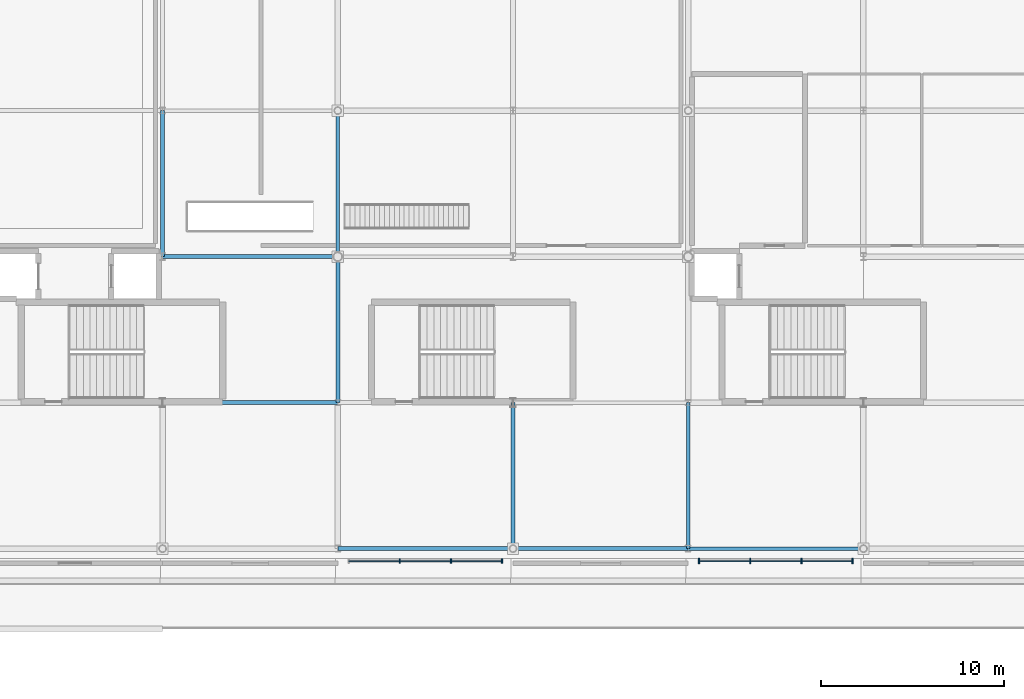
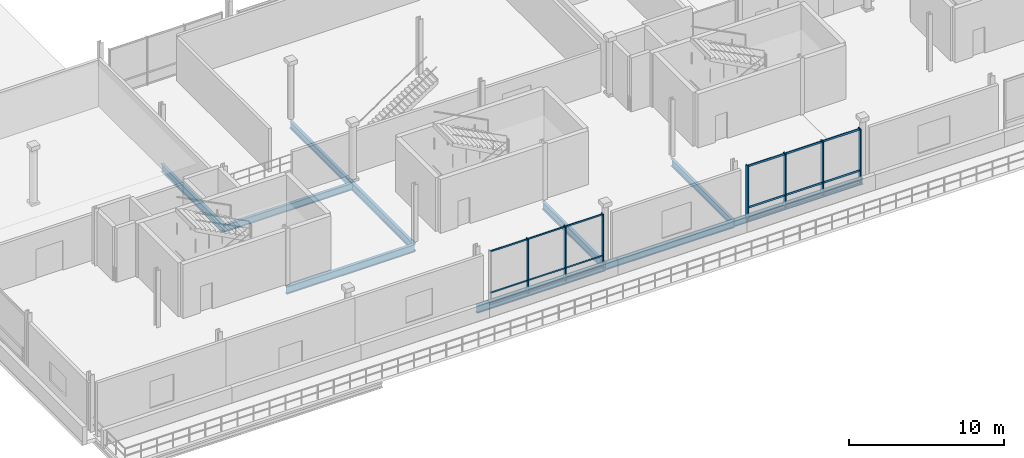
# One storey, part 9 of 36: 13 members, 10 beams, 2 elements without a shape of their own.
"""IFC4 building model written with IfcOpenShell, lengths in metres."""

from ifc_helpers import new_model, si_unit, direction, frame, origin, origin_2d, place, context, subcontext, project, spatial, rectangle, i_section, extrude, material, material_profile, profile_set, type_object, element, aggregate, save


model = new_model("IFC4")

# Units and contexts
model_context = context("Model", 3, precision=1e-05, world=origin(), true_north=direction((0.0, 1.0)))
body_context = subcontext(model_context, "Body", "Model", "MODEL_VIEW")
ifc_project = project(units=[si_unit("LENGTHUNIT", "METRE"), si_unit("AREAUNIT", "SQUARE_METRE"), si_unit("VOLUMEUNIT", "CUBIC_METRE"), si_unit("PLANEANGLEUNIT", "RADIAN"), si_unit("MASSUNIT", "GRAM", prefix="KILO")], contexts=[model_context])

# Site, building, storey
site_placement = place(None, origin())
site = spatial("IfcSite", under=ifc_project, at=site_placement, CompositionType="ELEMENT")
building_placement = place(site_placement, origin())
building = spatial("IfcBuilding", under=site, at=building_placement, Name="Danafjord Basin Convention Centre", CompositionType="ELEMENT")
storey_placement = place(building_placement, frame((0.0, 0.0, 20.39990234375)))
storey = spatial("IfcBuildingStorey", under=building, at=storey_placement, Name="L04", CompositionType="ELEMENT", Elevation=20.39990234375)

# Beams
ifc_material_1 = material(Name="Steel S355", Category="steel")
ifc_material_profile_1 = material_profile(ifc_material_1, i_section(OverallWidth=0.199951171875, OverallDepth=0.5, WebThickness=0.01025390625, FlangeThickness=0.01611328125, FilletRadius=0.02099609375, at=origin_2d()), Name="IPE 500")
ifc_profile_set_1 = profile_set([ifc_material_profile_1], Name="Steel S355")
beam_type_1 = type_object("IfcBeamType", Name="BEAM-BM-IPE500", PredefinedType="BEAM", material=ifc_profile_set_1)
beam_1_placement = place(storey_placement, frame((48.0, 8.0, -0.475830078125), z_axis=(1.0, 0.0, 0.0), x_axis=(0.0, 1.0, 0.0)))
element("IfcBeam", 1, at=beam_1_placement, inside=storey, type_object=beam_type_1, Name="L04 girder BM-IPE500", PredefinedType="BEAM", context=body_context, shape_type="SweptSolid", body=[
    extrude(i_section(OverallWidth=0.199951171875, OverallDepth=0.5, WebThickness=0.01025390625, FlangeThickness=0.01611328125, FilletRadius=0.02099609375, at=origin_2d()), origin(), (0.0, 0.0, 1.0), 9.60009765625),
])
ifc_material_profile_2 = material_profile(ifc_material_1, i_section(OverallWidth=0.2099609375, OverallDepth=0.550048828125, WebThickness=0.010986328125, FlangeThickness=0.01708984375, FilletRadius=0.02392578125, at=origin_2d()), Name="IPE 550")
ifc_profile_set_2 = profile_set([ifc_material_profile_2], Name="Steel S355")
beam_type_2 = type_object("IfcBeamType", Name="BEAM-BM-IPE550", PredefinedType="BEAM", material=ifc_profile_set_2)
for number, where, z_axis, x_axis, name in (
    (2, (19.199951171875, 24.0, -0.4990234375), (1.0, 0.0, 0.0), (0.0, 1.0, 0.0), "L04 girder BM-IPE550"),
    (3, (38.39990234375, 8.0, -0.5009765625), (1.0, 0.0, 0.0), (0.0, 1.0, 0.0), "L04 girder BM-IPE550"),
):
    element("IfcBeam", number, at=place(storey_placement, frame(where, z_axis=z_axis, x_axis=x_axis)), inside=storey, type_object=beam_type_2, Name=name, PredefinedType="BEAM", context=body_context, shape_type="SweptSolid", body=[
        extrude(i_section(OverallWidth=0.2099609375, OverallDepth=0.550048828125, WebThickness=0.010986328125, FlangeThickness=0.01708984375, FilletRadius=0.02392578125, at=origin_2d()), origin(), (0.0, 0.0, 1.0), 9.60009765625),
    ])
for number, where, z_axis, x_axis, name in (
    (4, (28.800048828125, 24.0, -0.4990234375), (0.0, 1.0, 0.0), (-1.0, 0.0, 0.0), "L04 transverse girder BM-IPE550"),
    (5, (48.0, 8.0, -0.4990234375), (0.0, 1.0, 0.0), (-1.0, 0.0, 0.0), "L04 transverse girder BM-IPE550"),
):
    element("IfcBeam", number, at=place(storey_placement, frame(where, z_axis=z_axis, x_axis=x_axis)), inside=storey, type_object=beam_type_2, Name=name, PredefinedType="BEAM", context=body_context, shape_type="SweptSolid", body=[
        extrude(i_section(OverallWidth=0.2099609375, OverallDepth=0.550048828125, WebThickness=0.010986328125, FlangeThickness=0.01708984375, FilletRadius=0.02392578125, at=origin_2d()), origin(), (0.0, 0.0, 1.0), 8.0),
    ])
ifc_material_profile_3 = material_profile(ifc_material_1, i_section(OverallWidth=0.219970703125, OverallDepth=0.60009765625, WebThickness=0.011962890625, FlangeThickness=0.01904296875, FilletRadius=0.02392578125, at=origin_2d()), Name="IPE 600")
ifc_profile_set_3 = profile_set([ifc_material_profile_3], Name="Steel S355")
beam_type_3 = type_object("IfcBeamType", Name="BEAM-BM-IPE600", PredefinedType="BEAM", material=ifc_profile_set_3)
beam_2_placement = place(storey_placement, frame((19.199951171875, 16.0, -0.52392578125), z_axis=(1.0, 0.0, 0.0), x_axis=(0.0, 1.0, 0.0)))
element("IfcBeam", 6, at=beam_2_placement, inside=storey, type_object=beam_type_3, Name="L04 girder BM-IPE600", PredefinedType="BEAM", context=body_context, shape_type="SweptSolid", body=[
    extrude(i_section(OverallWidth=0.219970703125, OverallDepth=0.60009765625, WebThickness=0.011962890625, FlangeThickness=0.01904296875, FilletRadius=0.02392578125, at=origin_2d()), origin(), (0.0, 0.0, 1.0), 9.60009765625),
])
beam_3_placement = place(storey_placement, frame((28.800048828125, 8.0, -0.52587890625), z_axis=(1.0, 0.0, 0.0), x_axis=(0.0, 1.0, 0.0)))
element("IfcBeam", 7, at=beam_3_placement, inside=storey, type_object=beam_type_3, Name="L04 girder BM-IPE600", PredefinedType="BEAM", context=body_context, shape_type="SweptSolid", body=[
    extrude(i_section(OverallWidth=0.219970703125, OverallDepth=0.60009765625, WebThickness=0.011962890625, FlangeThickness=0.01904296875, FilletRadius=0.02392578125, at=origin_2d()), origin(), (0.0, 0.0, 1.0), 9.599853515625),
])
for number, where, z_axis, x_axis, name in (
    (8, (19.199951171875, 24.0, -0.52392578125), (0.0, 1.0, 0.0), (-1.0, 0.0, 0.0), "L04 transverse girder BM-IPE600"),
    (9, (28.800048828125, 16.0, -0.52392578125), (0.0, 1.0, 0.0), (-1.0, 0.0, 0.0), "L04 transverse girder BM-IPE600"),
    (10, (38.39990234375, 8.0, -0.52392578125), (0.0, 1.0, 0.0), (-1.0, 0.0, 0.0), "L04 transverse girder BM-IPE600"),
):
    element("IfcBeam", number, at=place(storey_placement, frame(where, z_axis=z_axis, x_axis=x_axis)), inside=storey, type_object=beam_type_3, Name=name, PredefinedType="BEAM", context=body_context, shape_type="SweptSolid", body=[
        extrude(i_section(OverallWidth=0.219970703125, OverallDepth=0.60009765625, WebThickness=0.011962890625, FlangeThickness=0.01904296875, FilletRadius=0.02392578125, at=origin_2d()), origin(), (0.0, 0.0, 1.0), 8.0),
    ])

# Curtain wall, members
ifc_material_2 = material(Name="Anodised aluminium and triple glazing", Category="aluminium")
curtain_wall_type = type_object("IfcCurtainWallType", Name="CW-CW-TERR", PredefinedType="NOTDEFINED", material=ifc_material_2)
curtain_wall_1_placement = place(storey_placement, origin())
curtain_wall_1 = element("IfcCurtainWall", 11, at=curtain_wall_1_placement, inside=storey, type_object=curtain_wall_type, Name="L04 CW-TERR unitised curtain wall bay 33", PredefinedType="NOTDEFINED")
ifc_material_3 = material(Name="Anodised aluminium EN AW-6060", Category="aluminium")
ifc_material_profile_4 = material_profile(ifc_material_3, rectangle(XDim=0.070068359375, YDim=0.260009765625, at=origin_2d()), Name="MULL 70x260")
ifc_profile_set_4 = profile_set([ifc_material_profile_4], Name="Anodised aluminium EN AW-6060")
member_type_1 = type_object("IfcMemberType", Name="MEM-ML-260", PredefinedType="MULLION", material=ifc_profile_set_4)
member_1_placement = place(storey_placement, frame((32.199951171875, 7.320068359375, -0.02490234375), z_axis=(0.0, 0.0, 1.0), x_axis=(1.0, 0.0, 0.0)))
member_1 = element("IfcMember", 12, at=member_1_placement, type_object=member_type_1, Name="CW-L04-033 mullion 2", PredefinedType="MULLION", context=body_context, shape_type="SweptSolid", body=[
    extrude(rectangle(XDim=0.070068359375, YDim=0.260009765625, at=origin_2d()), origin(), (0.0, 0.0, 1.0), 4.294921875),
])
member_2_placement = place(storey_placement, frame((35.0, 7.320068359375, -0.02490234375), z_axis=(0.0, 0.0, 1.0), x_axis=(1.0, 0.0, 0.0)))
member_2 = element("IfcMember", 13, at=member_2_placement, type_object=member_type_1, Name="CW-L04-033 mullion 3", PredefinedType="MULLION", context=body_context, shape_type="SweptSolid", body=[
    extrude(rectangle(XDim=0.070068359375, YDim=0.260009765625, at=origin_2d()), origin(), (0.0, 0.0, 1.0), 4.294921875),
])
member_3_placement = place(storey_placement, frame((37.800048828125, 7.320068359375, -0.02490234375), z_axis=(0.0, 0.0, 1.0), x_axis=(1.0, 0.0, 0.0)))
member_3 = element("IfcMember", 14, at=member_3_placement, type_object=member_type_1, Name="CW-L04-033 mullion 4", PredefinedType="MULLION", context=body_context, shape_type="SweptSolid", body=[
    extrude(rectangle(XDim=0.070068359375, YDim=0.260009765625, at=origin_2d()), origin(), (0.0, 0.0, 1.0), 4.294921875),
])

curtain_wall_2_placement = place(storey_placement, origin())
curtain_wall_2 = element("IfcCurtainWall", 15, at=curtain_wall_2_placement, inside=storey, type_object=curtain_wall_type, Name="L04 CW-TERR unitised curtain wall bay 34", PredefinedType="NOTDEFINED")
ifc_material_profile_5 = material_profile(ifc_material_3, rectangle(XDim=0.080078125, YDim=0.300048828125, at=origin_2d()), Name="MULL 80x300")
ifc_profile_set_5 = profile_set([ifc_material_profile_5], Name="Anodised aluminium EN AW-6060")
member_type_2 = type_object("IfcMemberType", Name="MEM-ML-300", PredefinedType="MULLION", material=ifc_profile_set_5)
member_4_placement = place(storey_placement, frame((48.60009765625, 7.320068359375, -0.02490234375), z_axis=(0.0, 0.0, 1.0), x_axis=(1.0, 0.0, 0.0)))
member_4 = element("IfcMember", 16, at=member_4_placement, type_object=member_type_2, Name="CW-L04-034 mullion 1", PredefinedType="MULLION", context=body_context, shape_type="SweptSolid", body=[
    extrude(rectangle(XDim=0.080078125, YDim=0.300048828125, at=origin_2d()), origin(), (0.0, 0.0, 1.0), 4.294921875),
])
member_5_placement = place(storey_placement, frame((51.39990234375, 7.320068359375, -0.02490234375), z_axis=(0.0, 0.0, 1.0), x_axis=(1.0, 0.0, 0.0)))
member_5 = element("IfcMember", 17, at=member_5_placement, type_object=member_type_2, Name="CW-L04-034 mullion 2", PredefinedType="MULLION", context=body_context, shape_type="SweptSolid", body=[
    extrude(rectangle(XDim=0.080078125, YDim=0.300048828125, at=origin_2d()), origin(), (0.0, 0.0, 1.0), 4.294921875),
])
member_6_placement = place(storey_placement, frame((54.199951171875, 7.320068359375, -0.02490234375), z_axis=(0.0, 0.0, 1.0), x_axis=(1.0, 0.0, 0.0)))
member_6 = element("IfcMember", 18, at=member_6_placement, type_object=member_type_2, Name="CW-L04-034 mullion 3", PredefinedType="MULLION", context=body_context, shape_type="SweptSolid", body=[
    extrude(rectangle(XDim=0.080078125, YDim=0.300048828125, at=origin_2d()), origin(), (0.0, 0.0, 1.0), 4.294921875),
])
member_7_placement = place(storey_placement, frame((57.0, 7.320068359375, -0.02490234375), z_axis=(0.0, 0.0, 1.0), x_axis=(1.0, 0.0, 0.0)))
member_7 = element("IfcMember", 19, at=member_7_placement, type_object=member_type_2, Name="CW-L04-034 mullion 4", PredefinedType="MULLION", context=body_context, shape_type="SweptSolid", body=[
    extrude(rectangle(XDim=0.080078125, YDim=0.300048828125, at=origin_2d()), origin(), (0.0, 0.0, 1.0), 4.294921875),
])

# Member
ifc_material_profile_6 = material_profile(ifc_material_3, rectangle(XDim=0.06005859375, YDim=0.110107421875, at=origin_2d()), Name="TRAN 60x110")
ifc_profile_set_6 = profile_set([ifc_material_profile_6], Name="Anodised aluminium EN AW-6060")
member_type_3 = type_object("IfcMemberType", Name="MEM-TR-110", PredefinedType="USERDEFINED", material=ifc_profile_set_6)
member_8_placement = place(storey_placement, frame((29.39990234375, 7.320068359375, 0.06005859375), z_axis=(1.0, 0.0, 0.0), x_axis=(0.0, 1.0, 0.0)))
member_8 = element("IfcMember", 20, at=member_8_placement, type_object=member_type_3, Name="CW-L04-033 transom 1", ObjectType="TRANSOM", PredefinedType="USERDEFINED", context=body_context, shape_type="SweptSolid", body=[
    extrude(rectangle(XDim=0.06005859375, YDim=0.110107421875, at=origin_2d()), origin(), (0.0, 0.0, 1.0), 8.400146484375),
])

member_9_placement = place(storey_placement, frame((29.39990234375, 7.320068359375, 0.9501953125), z_axis=(1.0, 0.0, 0.0), x_axis=(0.0, 1.0, 0.0)))
member_9 = element("IfcMember", 21, at=member_9_placement, type_object=member_type_3, Name="CW-L04-033 transom 2", ObjectType="TRANSOM", PredefinedType="USERDEFINED", context=body_context, shape_type="SweptSolid", body=[
    extrude(rectangle(XDim=0.06005859375, YDim=0.110107421875, at=origin_2d()), origin(), (0.0, 0.0, 1.0), 8.400146484375),
])

member_10_placement = place(storey_placement, frame((29.39990234375, 7.320068359375, 4.2001953125), z_axis=(1.0, 0.0, 0.0), x_axis=(0.0, 1.0, 0.0)))
member_10 = element("IfcMember", 22, at=member_10_placement, type_object=member_type_3, Name="CW-L04-033 transom 3", ObjectType="TRANSOM", PredefinedType="USERDEFINED", context=body_context, shape_type="SweptSolid", body=[
    extrude(rectangle(XDim=0.06005859375, YDim=0.110107421875, at=origin_2d()), origin(), (0.0, 0.0, 1.0), 8.400146484375),
])

aggregate(curtain_wall_1, [member_1, member_2, member_3, member_8, member_9, member_10])

ifc_material_profile_7 = material_profile(ifc_material_3, rectangle(XDim=0.06005859375, YDim=0.14990234375, at=origin_2d()), Name="TRAN 60x150")
ifc_profile_set_7 = profile_set([ifc_material_profile_7], Name="Anodised aluminium EN AW-6060")
member_type_4 = type_object("IfcMemberType", Name="MEM-TR-150", PredefinedType="USERDEFINED", material=ifc_profile_set_7)
member_11_placement = place(storey_placement, frame((48.60009765625, 7.320068359375, 0.06005859375), z_axis=(1.0, 0.0, 0.0), x_axis=(0.0, 1.0, 0.0)))
member_11 = element("IfcMember", 23, at=member_11_placement, type_object=member_type_4, Name="CW-L04-034 transom 1", ObjectType="TRANSOM", PredefinedType="USERDEFINED", context=body_context, shape_type="SweptSolid", body=[
    extrude(rectangle(XDim=0.06005859375, YDim=0.14990234375, at=origin_2d()), origin(), (0.0, 0.0, 1.0), 8.39990234375),
])

member_12_placement = place(storey_placement, frame((48.60009765625, 7.320068359375, 0.9501953125), z_axis=(1.0, 0.0, 0.0), x_axis=(0.0, 1.0, 0.0)))
member_12 = element("IfcMember", 24, at=member_12_placement, type_object=member_type_4, Name="CW-L04-034 transom 2", ObjectType="TRANSOM", PredefinedType="USERDEFINED", context=body_context, shape_type="SweptSolid", body=[
    extrude(rectangle(XDim=0.06005859375, YDim=0.14990234375, at=origin_2d()), origin(), (0.0, 0.0, 1.0), 8.39990234375),
])

member_13_placement = place(storey_placement, frame((48.60009765625, 7.320068359375, 4.2001953125), z_axis=(1.0, 0.0, 0.0), x_axis=(0.0, 1.0, 0.0)))
member_13 = element("IfcMember", 25, at=member_13_placement, type_object=member_type_4, Name="CW-L04-034 transom 3", ObjectType="TRANSOM", PredefinedType="USERDEFINED", context=body_context, shape_type="SweptSolid", body=[
    extrude(rectangle(XDim=0.06005859375, YDim=0.14990234375, at=origin_2d()), origin(), (0.0, 0.0, 1.0), 8.39990234375),
])

aggregate(curtain_wall_2, [member_4, member_5, member_6, member_7, member_11, member_12, member_13])

save(model, "model.ifc")
